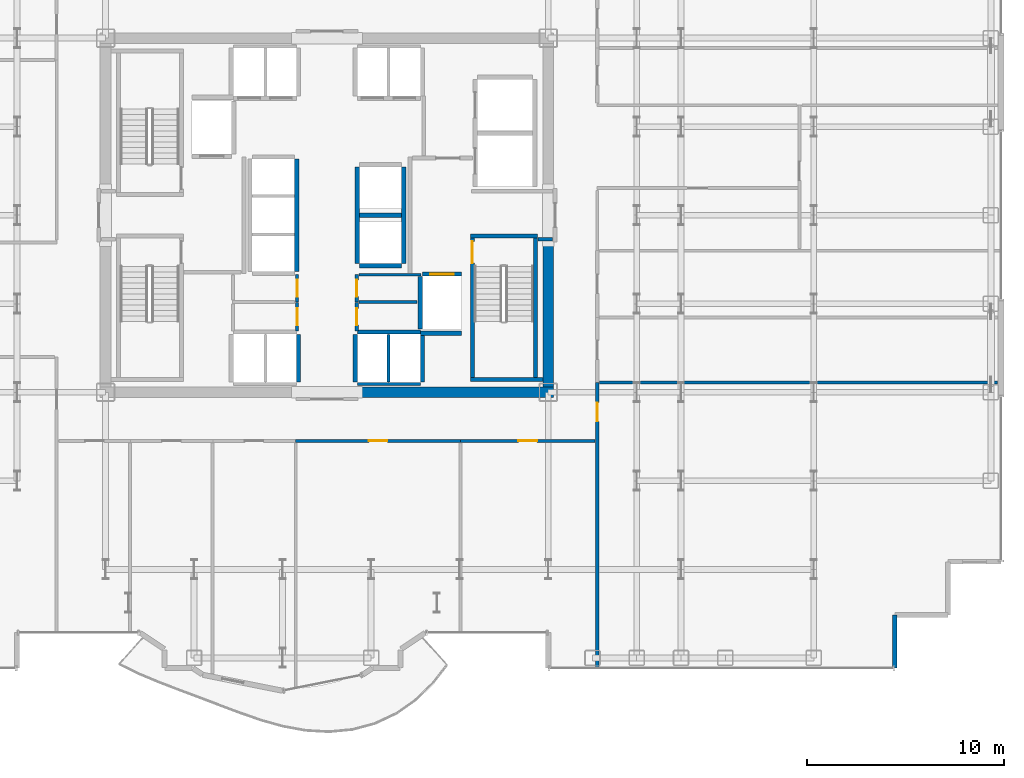
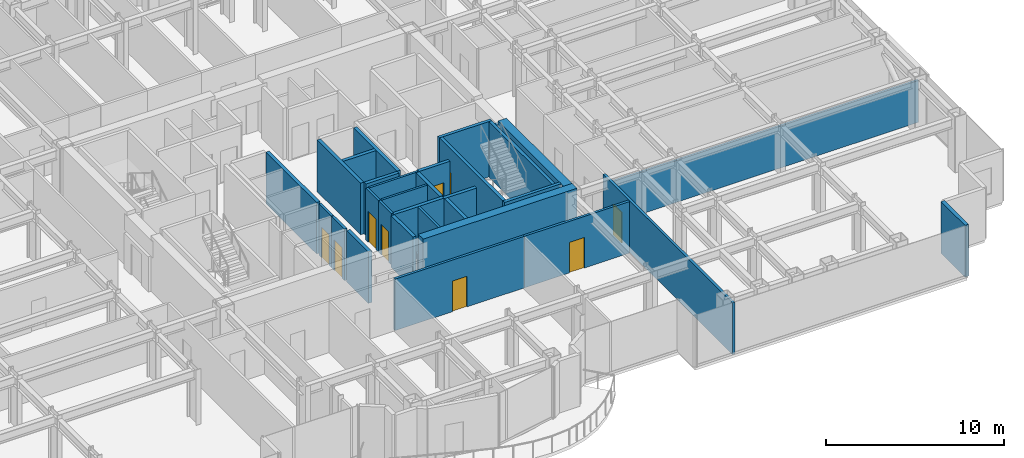
# One storey, part 24 of 29: 32 walls, 9 doors, 9 openings.
"""IFC4 building model written with IfcOpenShell, lengths in metres."""

from ifc_helpers import new_model, si_unit, direction, frame, frame_2d, origin, place, context, subcontext, project, spatial, rectangle, extrude, source, transform, mapped, material, layer, layer_set, type_object, element, fill, save


model = new_model("IFC4")

# Units and contexts
model_context = context("Model", 3, precision=1e-05, world=origin(), true_north=direction((0.0, 1.0)))
body_context = subcontext(model_context, "Body", "Model", "MODEL_VIEW")
ifc_project = project(units=[si_unit("LENGTHUNIT", "METRE"), si_unit("AREAUNIT", "SQUARE_METRE"), si_unit("VOLUMEUNIT", "CUBIC_METRE"), si_unit("PLANEANGLEUNIT", "RADIAN"), si_unit("MASSUNIT", "GRAM", prefix="KILO")], contexts=[model_context])

# Site, building, storey
site_placement = place(None, origin())
site = spatial("IfcSite", under=ifc_project, at=site_placement, CompositionType="ELEMENT")
building_placement = place(site_placement, origin())
building = spatial("IfcBuilding", under=site, at=building_placement, Name="Nefas-Gora Pilgrimage Tower", CompositionType="ELEMENT")
storey_placement = place(building_placement, frame((0.0, 0.0, 136.39990234375)))
storey = spatial("IfcBuildingStorey", under=building, at=storey_placement, Name="L33", CompositionType="ELEMENT", Elevation=136.39990234375)

# Walls
ifc_material_1 = material(Name="Concrete C60/75", Category="concrete")
ifc_layer_1 = layer(ifc_material_1, 0.550048828125)
ifc_layer_set_1 = layer_set([ifc_layer_1], Name="Concrete C60/75")
wall_type_1 = type_object("IfcWallType", Name="SW-CORE-550", PredefinedType="SHEAR", material=ifc_layer_set_1)
shared_shape_1 = source(origin(), body_context, "Body", "SweptSolid", [
    extrude(rectangle(XDim=9.974853515625, YDim=0.550048828125, at=frame_2d((4.9873046875, 0.0))), origin(), (0.0, 0.0, 1.0), 3.800048828125),
])
wall_1_placement = place(storey_placement, frame((1.550048828125, -9.0, 0.0), z_axis=(0.0, 0.0, 1.0), x_axis=(1.0, 0.0, 0.0)))
element("IfcWall", 1, at=wall_1_placement, inside=storey, type_object=wall_type_1, Name="L33 Core Shear Wall S-East", PredefinedType="SHEAR", context=body_context, shape_type="MappedRepresentation", body=[
    mapped(shared_shape_1, transform((0.0, 0.0, 0.0), x_axis=(1.0, 0.0, 0.0), y_axis=(0.0, 1.0, 0.0), z_axis=(0.0, 0.0, 1.0), scale=1.0)),
])
shared_shape_2 = source(origin(), body_context, "Body", "SweptSolid", [
    extrude(rectangle(XDim=7.375, YDim=0.550048828125, at=frame_2d((3.6875, 0.0))), origin(), (0.0, 0.0, 1.0), 3.800048828125),
])
wall_2_placement = place(storey_placement, frame((11.25, -8.72509765625, 0.0), z_axis=(0.0, 0.0, 1.0), x_axis=(0.0, 1.0, 0.0)))
element("IfcWall", 2, at=wall_2_placement, inside=storey, type_object=wall_type_1, Name="L33 Core Shear Wall E-South", PredefinedType="SHEAR", context=body_context, shape_type="MappedRepresentation", body=[
    mapped(shared_shape_2, transform((0.0, 0.0, 0.0), x_axis=(1.0, 0.0, 0.0), y_axis=(0.0, 1.0, 0.0), z_axis=(0.0, 0.0, 1.0), scale=1.0)),
])
ifc_material_2 = material(Name="Precast concrete C45/55", Category="concrete")
ifc_layer_2 = layer(ifc_material_2, 0.239990234375)
ifc_layer_set_2 = layer_set([ifc_layer_2], Name="Precast concrete C45/55")
wall_type_2 = type_object("IfcWallType", Name="EW-SERR-240", PredefinedType="SHEAR", material=ifc_layer_set_2)
shared_shape_3 = source(origin(), body_context, "Body", "SweptSolid", [
    extrude(rectangle(XDim=2.699951171875, YDim=0.239990234375, at=frame_2d((1.35009765625, 0.0))), origin(), (0.0, 0.0, 1.0), 3.550048828125),
])
wall_3_placement = place(storey_placement, frame((28.8701171875, -23.02001953125, 0.0), z_axis=(0.0, 0.0, 1.0), x_axis=(0.0, 1.0, 0.0)))
element("IfcWall", 3, at=wall_3_placement, inside=storey, type_object=wall_type_2, Name="L33 Serrated Corner Shear Pier Wall 6", PredefinedType="SHEAR", context=body_context, shape_type="MappedRepresentation", body=[
    mapped(shared_shape_3, transform((0.0, 0.0, 0.0), x_axis=(1.0, 0.0, 0.0), y_axis=(0.0, 1.0, 0.0), z_axis=(0.0, 0.0, 1.0), scale=1.0)),
])
ifc_material_3 = material(Name="Concrete C45/55", Category="concrete")
ifc_layer_3 = layer(ifc_material_3, 0.199951171875)
ifc_layer_set_3 = layer_set([ifc_layer_3], Name="Concrete C45/55")
wall_type_3 = type_object("IfcWallType", Name="IW-STAIR-200", PredefinedType="SOLIDWALL", material=ifc_layer_set_3)
shared_shape_4 = source(origin(), body_context, "Body", "SweptSolid", [
    extrude(rectangle(XDim=3.39990234375, YDim=0.199951171875, at=frame_2d((1.699951171875, 0.0))), origin(), (0.0, 0.0, 1.0), 3.800048828125),
])
wall_4_placement = place(storey_placement, frame((7.300048828125, -1.050048828125, 0.0), z_axis=(0.0, 0.0, 1.0), x_axis=(1.0, 0.0, 0.0)))
element("IfcWall", 4, at=wall_4_placement, inside=storey, type_object=wall_type_3, Name="L33 Stairwell Shear Wall ST-02-near", PredefinedType="SOLIDWALL", context=body_context, shape_type="MappedRepresentation", body=[
    mapped(shared_shape_4, transform((0.0, 0.0, 0.0), x_axis=(1.0, 0.0, 0.0), y_axis=(0.0, 1.0, 0.0), z_axis=(0.0, 0.0, 1.0), scale=1.0)),
])

# Wall, opening, door
shared_shape_5 = source(origin(), body_context, "Body", "SweptSolid", [
    extrude(rectangle(XDim=7.10009765625, YDim=0.199951171875, at=frame_2d((3.550048828125, 0.0))), origin(), (0.0, 0.0, 1.0), 3.800048828125),
])
wall_5_placement = place(storey_placement, frame((7.39990234375, -1.14990234375, 0.0), z_axis=(0.0, 0.0, 1.0), x_axis=(0.0, -1.0, 0.0)))
wall_5 = element("IfcWall", 5, at=wall_5_placement, inside=storey, type_object=wall_type_3, Name="L33 Stairwell Shear Wall ST-02-left", PredefinedType="SOLIDWALL", context=body_context, shape_type="MappedRepresentation", body=[
    mapped(shared_shape_5, transform((0.0, 0.0, 0.0), x_axis=(1.0, 0.0, 0.0), y_axis=(0.0, 1.0, 0.0), z_axis=(0.0, 0.0, 1.0), scale=1.0)),
])
opening_1_placement = place(wall_5_placement, frame((0.179931640625, 0.0, 0.0)))
opening_1 = element("IfcOpeningElement", 6, at=opening_1_placement, cuts=wall_5, Name="Opening ID-ST1", PredefinedType="OPENING", context=body_context, shape_type="SweptSolid", body=[
    extrude(rectangle(XDim=1.10009765625, YDim=2.14990234375, at=frame_2d((0.550048828125, 1.074951171875))), frame((0.0, 0.10986328125, 0.0), z_axis=(0.0, -1.0, 0.0), x_axis=(1.0, 0.0, 0.0)), (0.0, 0.0, 1.0), 0.219970703125),
])
ifc_material_4 = material(Name="Painted galvanised steel fire stair door", Category="steel")
door_type_1 = type_object("IfcDoorType", Name="DR-INT-STAIR-1100", OperationType="NOTDEFINED", PredefinedType="DOOR", material=ifc_material_4)
shared_shape_6 = source(origin(), body_context, "Body", "SweptSolid", [
    extrude(rectangle(XDim=1.10009765625, YDim=2.14990234375, at=frame_2d((0.550048828125, 1.074951171875))), frame((0.0, 0.02490234375, 0.0), z_axis=(0.0, -1.0, 0.0), x_axis=(1.0, 0.0, 0.0)), (0.0, 0.0, 1.0), 0.050048828125),
])
door_1_placement = place(opening_1_placement, origin())
door_1 = element("IfcDoor", 7, at=door_1_placement, inside=storey, type_object=door_type_1, Name="L33 Protected Exit Stair Door ST-02", OperationType="SINGLE_SWING_RIGHT", OverallHeight=2.14990234375, OverallWidth=1.10009765625, PredefinedType="DOOR", context=body_context, shape_type="MappedRepresentation", body=[
    mapped(shared_shape_6, transform((0.0, 0.0, 0.0), x_axis=(1.0, 0.0, 0.0), y_axis=(0.0, 1.0, 0.0), z_axis=(0.0, 0.0, 1.0), scale=1.0)),
])
fill(opening_1, door_1)

# Walls
wall_6_placement = place(storey_placement, frame((10.60009765625, -1.14990234375, 0.0), z_axis=(0.0, 0.0, 1.0), x_axis=(0.0, -1.0, 0.0)))
element("IfcWall", 8, at=wall_6_placement, inside=storey, type_object=wall_type_3, Name="L33 Stairwell Shear Wall ST-02-right", PredefinedType="SOLIDWALL", context=body_context, shape_type="MappedRepresentation", body=[
    mapped(shared_shape_5, transform((0.0, 0.0, 0.0), x_axis=(1.0, 0.0, 0.0), y_axis=(0.0, 1.0, 0.0), z_axis=(0.0, 0.0, 1.0), scale=1.0)),
])
shared_shape_7 = source(origin(), body_context, "Body", "SweptSolid", [
    extrude(rectangle(XDim=3.679931640625, YDim=0.199951171875, at=frame_2d((1.83984375, 0.0))), origin(), (0.0, 0.0, 1.0), 3.800048828125),
])
wall_7_placement = place(storey_placement, frame((7.300048828125, -8.35009765625, 0.0), z_axis=(0.0, 0.0, 1.0), x_axis=(1.0, 0.0, 0.0)))
element("IfcWall", 9, at=wall_7_placement, inside=storey, type_object=wall_type_3, Name="L33 Stairwell Shear Wall ST-02-far", PredefinedType="SOLIDWALL", context=body_context, shape_type="MappedRepresentation", body=[
    mapped(shared_shape_7, transform((0.0, 0.0, 0.0), x_axis=(1.0, 0.0, 0.0), y_axis=(0.0, 1.0, 0.0), z_axis=(0.0, 0.0, 1.0), scale=1.0)),
])
ifc_material_5 = material(Name="Gypsum acoustic stud partition")
ifc_layer_4 = layer(ifc_material_5, 0.159912109375)
ifc_layer_set_4 = layer_set([ifc_layer_4], Name="Gypsum acoustic stud partition")
wall_type_4 = type_object("IfcWallType", Name="IW-CORR-160", PredefinedType="PARTITIONING", material=ifc_layer_set_4)
shared_shape_8 = source(origin(), body_context, "Body", "SweptSolid", [
    extrude(rectangle(XDim=3.199951171875, YDim=0.159912109375, at=frame_2d((1.60009765625, 0.0))), origin(), (0.0, 0.0, 1.0), 2.425048828125),
])
wall_8_placement = place(storey_placement, frame((1.550048828125, -8.580078125, 0.0), z_axis=(0.0, 0.0, 1.0), x_axis=(1.0, 0.0, 0.0)))
element("IfcWall", 10, at=wall_8_placement, inside=storey, type_object=wall_type_4, Name="L33 Hoistway Wall PL2-E-S", PredefinedType="PARTITIONING", context=body_context, shape_type="MappedRepresentation", body=[
    mapped(shared_shape_8, transform((0.0, 0.0, 0.0), x_axis=(1.0, 0.0, 0.0), y_axis=(0.0, 1.0, 0.0), z_axis=(0.0, 0.0, 1.0), scale=1.0)),
])

# Wall, opening, door
ifc_material_6 = material(Name="Concrete C40/50", Category="concrete")
ifc_layer_5 = layer(ifc_material_6, 0.219970703125)
ifc_layer_set_5 = layer_set([ifc_layer_5], Name="Concrete C40/50")
wall_type_5 = type_object("IfcWallType", Name="IW-SHAFT-220", PredefinedType="SOLIDWALL", material=ifc_layer_set_5)
shared_shape_9 = source(origin(), body_context, "Body", "SweptSolid", [
    extrude(rectangle(XDim=2.0, YDim=0.219970703125, at=frame_2d((1.0, 0.0))), origin(), (0.0, 0.0, 1.0), 3.53515625),
])
wall_9_placement = place(storey_placement, frame((6.85009765625, -2.989990234375, 0.0), z_axis=(0.0, 0.0, 1.0), x_axis=(-1.0, 0.0, 0.0)))
wall_9 = element("IfcWall", 11, at=wall_9_placement, inside=storey, type_object=wall_type_5, Name="L33 Hoistway Wall FFL-02-N", PredefinedType="SOLIDWALL", context=body_context, shape_type="MappedRepresentation", body=[
    mapped(shared_shape_9, transform((0.0, 0.0, 0.0), x_axis=(1.0, 0.0, 0.0), y_axis=(0.0, 1.0, 0.0), z_axis=(0.0, 0.0, 1.0), scale=1.0)),
])
opening_2_placement = place(wall_9_placement, frame((0.39990234375, 0.0, 0.0)))
opening_2 = element("IfcOpeningElement", 12, at=opening_2_placement, cuts=wall_9, Name="Opening LD-FF", PredefinedType="OPENING", context=body_context, shape_type="SweptSolid", body=[
    extrude(rectangle(XDim=1.199951171875, YDim=2.199951171875, at=frame_2d((0.60009765625, 1.10009765625))), frame((0.0, 0.119873046875, 0.0), z_axis=(0.0, -1.0, 0.0), x_axis=(1.0, 0.0, 0.0)), (0.0, 0.0, 1.0), 0.239990234375),
])
ifc_material_7 = material(Name="Fire-service sliding lift landing door")
door_type_2 = type_object("IfcDoorType", Name="DR-LIFT-FSAE-1200", OperationType="SLIDING_TO_LEFT", PredefinedType="DOOR", material=ifc_material_7)
shared_shape_10 = source(origin(), body_context, "Body", "SweptSolid", [
    extrude(rectangle(XDim=1.199951171875, YDim=2.199951171875, at=frame_2d((0.60009765625, 1.10009765625))), frame((0.0, 0.02490234375, 0.0), z_axis=(0.0, -1.0, 0.0), x_axis=(1.0, 0.0, 0.0)), (0.0, 0.0, 1.0), 0.050048828125),
])
door_2_placement = place(opening_2_placement, origin())
door_2 = element("IfcDoor", 13, at=door_2_placement, inside=storey, type_object=door_type_2, Name="L33 Sliding Lift Landing Door FFL-02", OperationType="SLIDING_TO_LEFT", OverallHeight=2.199951171875, OverallWidth=1.199951171875, PredefinedType="DOOR", context=body_context, shape_type="MappedRepresentation", body=[
    mapped(shared_shape_10, transform((0.0, 0.0, 0.0), x_axis=(1.0, 0.0, 0.0), y_axis=(0.0, 1.0, 0.0), z_axis=(0.0, 0.0, 1.0), scale=1.0)),
])
fill(opening_2, door_2)

# Walls
shared_shape_11 = source(origin(), body_context, "Body", "SweptSolid", [
    extrude(rectangle(XDim=2.679931640625, YDim=0.219970703125, at=frame_2d((1.33984375, 0.0))), origin(), (0.0, 0.0, 1.0), 3.53515625),
])
wall_10_placement = place(storey_placement, frame((4.739990234375, -3.110107421875, 0.0), z_axis=(0.0, 0.0, 1.0), x_axis=(0.0, -1.0, 0.0)))
element("IfcWall", 14, at=wall_10_placement, inside=storey, type_object=wall_type_5, Name="L33 Hoistway Wall FFL-02-W", PredefinedType="SOLIDWALL", context=body_context, shape_type="MappedRepresentation", body=[
    mapped(shared_shape_11, transform((0.0, 0.0, 0.0), x_axis=(1.0, 0.0, 0.0), y_axis=(0.0, 1.0, 0.0), z_axis=(0.0, 0.0, 1.0), scale=1.0)),
])
shared_shape_12 = source(origin(), body_context, "Body", "SweptSolid", [
    extrude(rectangle(XDim=3.199951171875, YDim=0.219970703125, at=frame_2d((1.60009765625, 0.0))), origin(), (0.0, 0.0, 1.0), 3.53515625),
])
wall_11_placement = place(storey_placement, frame((4.75, -5.93994140625, 0.0), z_axis=(0.0, 0.0, 1.0), x_axis=(-1.0, 0.0, 0.0)))
element("IfcWall", 15, at=wall_11_placement, inside=storey, type_object=wall_type_5, Name="L33 Hoistway Wall PL2-E-N", PredefinedType="SOLIDWALL", context=body_context, shape_type="MappedRepresentation", body=[
    mapped(shared_shape_12, transform((0.0, 0.0, 0.0), x_axis=(1.0, 0.0, 0.0), y_axis=(0.0, 1.0, 0.0), z_axis=(0.0, 0.0, 1.0), scale=1.0)),
])
shared_shape_13 = source(origin(), body_context, "Body", "SweptSolid", [
    extrude(rectangle(XDim=2.429931640625, YDim=0.219970703125, at=frame_2d((1.21484375, 0.0))), origin(), (0.0, 0.0, 1.0), 3.53515625),
])
for number, where, z_axis, x_axis, name in (
    (16, (-1.43994140625, -8.489990234375, 0.0), (0.0, 0.0, 1.0), (0.0, 1.0, 0.0), "L33 Hoistway Wall PL2-W-E"),
    (17, (1.43994140625, -6.06005859375, 0.0), (0.0, 0.0, 1.0), (0.0, -1.0, 0.0), "L33 Hoistway Wall PL2-E-W"),
    (18, (4.860107421875, -8.489990234375, 0.0), (0.0, 0.0, 1.0), (0.0, 1.0, 0.0), "L33 Hoistway Wall PL2-E-E"),
):
    element("IfcWall", number, at=place(storey_placement, frame(where, z_axis=z_axis, x_axis=x_axis)), inside=storey, type_object=wall_type_5, Name=name, PredefinedType="SOLIDWALL", context=body_context, shape_type="MappedRepresentation", body=[
        mapped(shared_shape_13, transform((0.0, 0.0, 0.0), x_axis=(1.0, 0.0, 0.0), y_axis=(0.0, 1.0, 0.0), z_axis=(0.0, 0.0, 1.0), scale=1.0)),
    ])
ifc_material_8 = material(Name="Gypsum twin-stud partition")
ifc_layer_6 = layer(ifc_material_8, 0.139892578125)
ifc_layer_set_6 = layer_set([ifc_layer_6], Name="Gypsum twin-stud partition")
wall_type_6 = type_object("IfcWallType", Name="IW-UNIT-140", PredefinedType="PARTITIONING", material=ifc_layer_set_6)
shared_shape_14 = source(origin(), body_context, "Body", "SweptSolid", [
    extrude(rectangle(XDim=2.429931640625, YDim=0.139892578125, at=frame_2d((1.21484375, 0.0))), origin(), (0.0, 0.0, 1.0), 3.53515625),
])
wall_12_placement = place(storey_placement, frame((3.125, -8.489990234375, 0.0), z_axis=(0.0, 0.0, 1.0), x_axis=(0.0, 1.0, 0.0)))
element("IfcWall", 19, at=wall_12_placement, inside=storey, type_object=wall_type_6, Name="L33 Hoistway Wall PL2-E-DIV", PredefinedType="PARTITIONING", context=body_context, shape_type="MappedRepresentation", body=[
    mapped(shared_shape_14, transform((0.0, 0.0, 0.0), x_axis=(1.0, 0.0, 0.0), y_axis=(0.0, 1.0, 0.0), z_axis=(0.0, 0.0, 1.0), scale=1.0)),
])
shared_shape_15 = source(origin(), body_context, "Body", "SweptSolid", [
    extrude(rectangle(XDim=5.7001953125, YDim=0.219970703125, at=frame_2d((2.85009765625, 0.0))), origin(), (0.0, 0.0, 1.0), 3.53515625),
])
wall_13_placement = place(storey_placement, frame((-1.5400390625, -2.85009765625, 0.0), z_axis=(0.0, 0.0, 1.0), x_axis=(0.0, 1.0, 0.0)))
element("IfcWall", 20, at=wall_13_placement, inside=storey, type_object=wall_type_5, Name="L33 Hoistway Wall PL3-01-03-E", PredefinedType="SOLIDWALL", context=body_context, shape_type="MappedRepresentation", body=[
    mapped(shared_shape_15, transform((0.0, 0.0, 0.0), x_axis=(1.0, 0.0, 0.0), y_axis=(0.0, 1.0, 0.0), z_axis=(0.0, 0.0, 1.0), scale=1.0)),
])
shared_shape_16 = source(origin(), body_context, "Body", "SweptSolid", [
    extrude(rectangle(XDim=2.130126953125, YDim=0.219970703125, at=frame_2d((1.06494140625, 0.0))), origin(), (0.0, 0.0, 1.0), 3.53515625),
])
for number, where, z_axis, x_axis, name in (
    (21, (1.659912109375, -2.56005859375, 0.0), (0.0, 0.0, 1.0), (1.0, 0.0, 0.0), "L33 Hoistway Wall OBS-01-S"),
    (22, (1.659912109375, 0.0, 0.0), (0.0, 0.0, 1.0), (1.0, 0.0, 0.0), "L33 Hoistway Wall OBS-01-02-DIV"),
):
    element("IfcWall", number, at=place(storey_placement, frame(where, z_axis=z_axis, x_axis=x_axis)), inside=storey, type_object=wall_type_5, Name=name, PredefinedType="SOLIDWALL", context=body_context, shape_type="MappedRepresentation", body=[
        mapped(shared_shape_16, transform((0.0, 0.0, 0.0), x_axis=(1.0, 0.0, 0.0), y_axis=(0.0, 1.0, 0.0), z_axis=(0.0, 0.0, 1.0), scale=1.0)),
    ])
shared_shape_17 = source(origin(), body_context, "Body", "SweptSolid", [
    extrude(rectangle(XDim=4.89990234375, YDim=0.219970703125, at=frame_2d((2.449951171875, 0.0))), origin(), (0.0, 0.0, 1.0), 3.53515625),
])
for number, where, z_axis, x_axis, name in (
    (23, (1.5400390625, 2.449951171875, 0.0), (0.0, 0.0, 1.0), (0.0, -1.0, 0.0), "L33 Hoistway Wall OBS-01-02-W"),
    (24, (3.909912109375, -2.449951171875, 0.0), (0.0, 0.0, 1.0), (0.0, 1.0, 0.0), "L33 Hoistway Wall OBS-01-02-E"),
):
    element("IfcWall", number, at=place(storey_placement, frame(where, z_axis=z_axis, x_axis=x_axis)), inside=storey, type_object=wall_type_5, Name=name, PredefinedType="SOLIDWALL", context=body_context, shape_type="MappedRepresentation", body=[
        mapped(shared_shape_17, transform((0.0, 0.0, 0.0), x_axis=(1.0, 0.0, 0.0), y_axis=(0.0, 1.0, 0.0), z_axis=(0.0, 0.0, 1.0), scale=1.0)),
    ])
shared_shape_18 = source(origin(), body_context, "Body", "SweptSolid", [
    extrude(rectangle(XDim=2.09521484375, YDim=0.219970703125, at=frame_2d((1.047607421875, 0.0))), origin(), (0.0, 0.0, 1.0), 3.53515625),
])
wall_14_placement = place(storey_placement, frame((4.7548828125, -6.0, 0.0), z_axis=(0.0, 0.0, 1.0), x_axis=(1.0, 0.0, 0.0)))
element("IfcWall", 25, at=wall_14_placement, inside=storey, type_object=wall_type_5, Name="L33 Riser Shaft Wall 2", PredefinedType="SOLIDWALL", context=body_context, shape_type="MappedRepresentation", body=[
    mapped(shared_shape_18, transform((0.0, 0.0, 0.0), x_axis=(1.0, 0.0, 0.0), y_axis=(0.0, 1.0, 0.0), z_axis=(0.0, 0.0, 1.0), scale=1.0)),
])
ifc_material_9 = material(Name="Gypsum fire-rated shaftwall")
ifc_layer_7 = layer(ifc_material_9, 0.199951171875)
ifc_layer_set_7 = layer_set([ifc_layer_7], Name="Gypsum fire-rated shaftwall")
wall_type_7 = type_object("IfcWallType", Name="IW-FFLOB-200", PredefinedType="PARTITIONING", material=ifc_layer_set_7)
shared_shape_19 = source(origin(), body_context, "Body", "SweptSolid", [
    extrude(rectangle(XDim=0.719970703125, YDim=0.199951171875, at=frame_2d((0.35986328125, 0.0))), origin(), (0.0, 0.0, 1.0), 3.53515625),
])
wall_15_placement = place(storey_placement, frame((10.739990234375, -1.219970703125, 0.0), z_axis=(0.0, 0.0, 1.0), x_axis=(1.0, 0.0, 0.0)))
element("IfcWall", 26, at=wall_15_placement, inside=storey, type_object=wall_type_7, Name="L33 FF Lobby East Throat S Wall 12", PredefinedType="PARTITIONING", context=body_context, shape_type="MappedRepresentation", body=[
    mapped(shared_shape_19, transform((0.0, 0.0, 0.0), x_axis=(1.0, 0.0, 0.0), y_axis=(0.0, 1.0, 0.0), z_axis=(0.0, 0.0, 1.0), scale=1.0)),
])

# Wall, opening, door
shared_shape_20 = source(origin(), body_context, "Body", "SweptSolid", [
    extrude(rectangle(XDim=1.409912109375, YDim=0.159912109375, at=frame_2d((0.705078125, 0.0))), origin(), (0.0, 0.0, 1.0), 3.53515625),
])
wall_16_placement = place(storey_placement, frame((-1.52001953125, -4.419921875, 0.0), z_axis=(0.0, 0.0, 1.0), x_axis=(0.0, 1.0, 0.0)))
wall_16 = element("IfcWall", 27, at=wall_16_placement, inside=storey, type_object=wall_type_4, Name="L33 Housekeeping and Linen Store Wall 16", PredefinedType="PARTITIONING", context=body_context, shape_type="MappedRepresentation", body=[
    mapped(shared_shape_20, transform((0.0, 0.0, 0.0), x_axis=(1.0, 0.0, 0.0), y_axis=(0.0, 1.0, 0.0), z_axis=(0.0, 0.0, 1.0), scale=1.0)),
])
opening_3_placement = place(wall_16_placement, frame((0.280029296875, 0.0, 0.0)))
opening_3 = element("IfcOpeningElement", 28, at=opening_3_placement, cuts=wall_16, Name="Opening ID-BT1", PredefinedType="OPENING", context=body_context, shape_type="SweptSolid", body=[
    extrude(rectangle(XDim=0.85009765625, YDim=2.10009765625, at=frame_2d((0.425048828125, 1.050048828125))), frame((0.0, 0.08984375, 0.0), z_axis=(0.0, -1.0, 0.0), x_axis=(1.0, 0.0, 0.0)), (0.0, 0.0, 1.0), 0.179931640625),
])
ifc_material_10 = material(Name="Moisture-resistant fire-rated timber door", Category="wood")
door_type_3 = type_object("IfcDoorType", Name="DR-INT-BATH-850", OperationType="NOTDEFINED", PredefinedType="DOOR", material=ifc_material_10)
shared_shape_21 = source(origin(), body_context, "Body", "SweptSolid", [
    extrude(rectangle(XDim=0.85009765625, YDim=2.10009765625, at=frame_2d((0.425048828125, 1.050048828125))), frame((0.0, 0.02490234375, 0.0), z_axis=(0.0, -1.0, 0.0), x_axis=(1.0, 0.0, 0.0)), (0.0, 0.0, 1.0), 0.050048828125),
])
door_3_placement = place(opening_3_placement, origin())
door_3 = element("IfcDoor", 29, at=door_3_placement, inside=storey, type_object=door_type_3, Name="L33 Housekeeping and Linen Store Door 6", OperationType="SINGLE_SWING_RIGHT", OverallHeight=2.10009765625, OverallWidth=0.85009765625, PredefinedType="DOOR", context=body_context, shape_type="MappedRepresentation", body=[
    mapped(shared_shape_21, transform((0.0, 0.0, 0.0), x_axis=(1.0, 0.0, 0.0), y_axis=(0.0, 1.0, 0.0), z_axis=(0.0, 0.0, 1.0), scale=1.0)),
])
fill(opening_3, door_3)

wall_17_placement = place(storey_placement, frame((1.52001953125, -4.419921875, 0.0), z_axis=(0.0, 0.0, 1.0), x_axis=(0.0, 1.0, 0.0)))
wall_17 = element("IfcWall", 30, at=wall_17_placement, inside=storey, type_object=wall_type_4, Name="L33 Clean Blanket and Robe Store Wall 21", PredefinedType="PARTITIONING", context=body_context, shape_type="MappedRepresentation", body=[
    mapped(shared_shape_20, transform((0.0, 0.0, 0.0), x_axis=(1.0, 0.0, 0.0), y_axis=(0.0, 1.0, 0.0), z_axis=(0.0, 0.0, 1.0), scale=1.0)),
])
opening_4_placement = place(wall_17_placement, frame((0.280029296875, 0.0, 0.0)))
opening_4 = element("IfcOpeningElement", 31, at=opening_4_placement, cuts=wall_17, Name="Opening ID-BT1", PredefinedType="OPENING", context=body_context, shape_type="SweptSolid", body=[
    extrude(rectangle(XDim=0.85009765625, YDim=2.10009765625, at=frame_2d((0.425048828125, 1.050048828125))), frame((0.0, 0.08984375, 0.0), z_axis=(0.0, -1.0, 0.0), x_axis=(1.0, 0.0, 0.0)), (0.0, 0.0, 1.0), 0.179931640625),
])
door_4_placement = place(opening_4_placement, origin())
door_4 = element("IfcDoor", 32, at=door_4_placement, inside=storey, type_object=door_type_3, Name="L33 Clean Blanket and Robe Store Door 8", OperationType="SINGLE_SWING_RIGHT", OverallHeight=2.10009765625, OverallWidth=0.85009765625, PredefinedType="DOOR", context=body_context, shape_type="MappedRepresentation", body=[
    mapped(shared_shape_21, transform((0.0, 0.0, 0.0), x_axis=(1.0, 0.0, 0.0), y_axis=(0.0, 1.0, 0.0), z_axis=(0.0, 0.0, 1.0), scale=1.0)),
])
fill(opening_4, door_4)

# Wall
shared_shape_22 = source(origin(), body_context, "Body", "SweptSolid", [
    extrude(rectangle(XDim=3.150146484375, YDim=0.139892578125, at=frame_2d((1.5751953125, 0.0))), origin(), (0.0, 0.0, 1.0), 3.53515625),
])
wall_18_placement = place(storey_placement, frame((1.639892578125, -3.02001953125, 0.0), z_axis=(0.0, 0.0, 1.0), x_axis=(1.0, 0.0, 0.0)))
element("IfcWall", 33, at=wall_18_placement, inside=storey, type_object=wall_type_6, Name="L33 Clean Blanket and Robe Store Partition Wall 22", PredefinedType="PARTITIONING", context=body_context, shape_type="MappedRepresentation", body=[
    mapped(shared_shape_22, transform((0.0, 0.0, 0.0), x_axis=(1.0, 0.0, 0.0), y_axis=(0.0, 1.0, 0.0), z_axis=(0.0, 0.0, 1.0), scale=1.0)),
])

# Wall, opening, door
shared_shape_23 = source(origin(), body_context, "Body", "SweptSolid", [
    extrude(rectangle(XDim=1.449951171875, YDim=0.159912109375, at=frame_2d((0.72509765625, 0.0))), origin(), (0.0, 0.0, 1.0), 3.53515625),
])
wall_19_placement = place(storey_placement, frame((-1.52001953125, -5.889892578125, 0.0), z_axis=(0.0, 0.0, 1.0), x_axis=(0.0, 1.0, 0.0)))
wall_19 = element("IfcWall", 34, at=wall_19_placement, inside=storey, type_object=wall_type_4, Name="L33 Guest Self-Service Laundry Room Wall 19", PredefinedType="PARTITIONING", context=body_context, shape_type="MappedRepresentation", body=[
    mapped(shared_shape_23, transform((0.0, 0.0, 0.0), x_axis=(1.0, 0.0, 0.0), y_axis=(0.0, 1.0, 0.0), z_axis=(0.0, 0.0, 1.0), scale=1.0)),
])
opening_5_placement = place(wall_19_placement, frame((0.300048828125, 0.0, 0.0)))
opening_5 = element("IfcOpeningElement", 35, at=opening_5_placement, cuts=wall_19, Name="Opening ID-BT1", PredefinedType="OPENING", context=body_context, shape_type="SweptSolid", body=[
    extrude(rectangle(XDim=0.85009765625, YDim=2.10009765625, at=frame_2d((0.425048828125, 1.050048828125))), frame((0.0, 0.08984375, 0.0), z_axis=(0.0, -1.0, 0.0), x_axis=(1.0, 0.0, 0.0)), (0.0, 0.0, 1.0), 0.179931640625),
])
door_5_placement = place(opening_5_placement, origin())
door_5 = element("IfcDoor", 36, at=door_5_placement, inside=storey, type_object=door_type_3, Name="L33 Guest Self-Service Laundry Room Door 7", OperationType="SINGLE_SWING_LEFT", OverallHeight=2.10009765625, OverallWidth=0.85009765625, PredefinedType="DOOR", context=body_context, shape_type="MappedRepresentation", body=[
    mapped(shared_shape_21, transform((0.0, 0.0, 0.0), x_axis=(1.0, 0.0, 0.0), y_axis=(0.0, 1.0, 0.0), z_axis=(0.0, 0.0, 1.0), scale=1.0)),
])
fill(opening_5, door_5)

wall_20_placement = place(storey_placement, frame((1.52001953125, -5.889892578125, 0.0), z_axis=(0.0, 0.0, 1.0), x_axis=(0.0, 1.0, 0.0)))
wall_20 = element("IfcWall", 37, at=wall_20_placement, inside=storey, type_object=wall_type_4, Name="L33 Core Amenity Supply Store Wall 24", PredefinedType="PARTITIONING", context=body_context, shape_type="MappedRepresentation", body=[
    mapped(shared_shape_23, transform((0.0, 0.0, 0.0), x_axis=(1.0, 0.0, 0.0), y_axis=(0.0, 1.0, 0.0), z_axis=(0.0, 0.0, 1.0), scale=1.0)),
])
opening_6_placement = place(wall_20_placement, frame((0.300048828125, 0.0, 0.0)))
opening_6 = element("IfcOpeningElement", 38, at=opening_6_placement, cuts=wall_20, Name="Opening ID-BT1", PredefinedType="OPENING", context=body_context, shape_type="SweptSolid", body=[
    extrude(rectangle(XDim=0.85009765625, YDim=2.10009765625, at=frame_2d((0.425048828125, 1.050048828125))), frame((0.0, 0.08984375, 0.0), z_axis=(0.0, -1.0, 0.0), x_axis=(1.0, 0.0, 0.0)), (0.0, 0.0, 1.0), 0.179931640625),
])
door_6_placement = place(opening_6_placement, origin())
door_6 = element("IfcDoor", 39, at=door_6_placement, inside=storey, type_object=door_type_3, Name="L33 Core Amenity Supply Store Door 9", OperationType="SINGLE_SWING_LEFT", OverallHeight=2.10009765625, OverallWidth=0.85009765625, PredefinedType="DOOR", context=body_context, shape_type="MappedRepresentation", body=[
    mapped(shared_shape_21, transform((0.0, 0.0, 0.0), x_axis=(1.0, 0.0, 0.0), y_axis=(0.0, 1.0, 0.0), z_axis=(0.0, 0.0, 1.0), scale=1.0)),
])
fill(opening_6, door_6)

# Wall
shared_shape_24 = source(origin(), body_context, "Body", "SweptSolid", [
    extrude(rectangle(XDim=2.9501953125, YDim=0.139892578125, at=frame_2d((1.47509765625, 0.0))), origin(), (0.0, 0.0, 1.0), 3.53515625),
])
wall_21_placement = place(storey_placement, frame((1.639892578125, -4.409912109375, 0.0), z_axis=(0.0, 0.0, 1.0), x_axis=(1.0, 0.0, 0.0)))
element("IfcWall", 40, at=wall_21_placement, inside=storey, type_object=wall_type_6, Name="L33 Clean Blanket and Robe Store Partition Wall 23", PredefinedType="PARTITIONING", context=body_context, shape_type="MappedRepresentation", body=[
    mapped(shared_shape_24, transform((0.0, 0.0, 0.0), x_axis=(1.0, 0.0, 0.0), y_axis=(0.0, 1.0, 0.0), z_axis=(0.0, 0.0, 1.0), scale=1.0)),
])

# Wall, opening, door
shared_shape_25 = source(origin(), body_context, "Body", "SweptSolid", [
    extrude(rectangle(XDim=6.8251953125, YDim=0.159912109375, at=frame_2d((3.41259765625, 0.0))), origin(), (0.0, 0.0, 1.0), 3.53515625),
])
wall_22_placement = place(storey_placement, frame((6.794921875, -11.469970703125, 0.0), z_axis=(0.0, 0.0, 1.0), x_axis=(1.0, 0.0, 0.0)))
wall_22 = element("IfcWall", 41, at=wall_22_placement, inside=storey, type_object=wall_type_4, Name="L33 Pilgrim Contemplative Lounge Partition Wall 67", PredefinedType="PARTITIONING", context=body_context, shape_type="MappedRepresentation", body=[
    mapped(shared_shape_25, transform((0.0, 0.0, 0.0), x_axis=(1.0, 0.0, 0.0), y_axis=(0.0, 1.0, 0.0), z_axis=(0.0, 0.0, 1.0), scale=1.0)),
])
opening_7_placement = place(wall_22_placement, frame((2.9375, 0.0, 0.0)))
opening_7 = element("IfcOpeningElement", 42, at=opening_7_placement, cuts=wall_22, Name="Opening ID-GR1", PredefinedType="OPENING", context=body_context, shape_type="SweptSolid", body=[
    extrude(rectangle(XDim=0.949951171875, YDim=2.10009765625, at=frame_2d((0.47509765625, 1.050048828125))), frame((0.0, 0.08984375, 0.0), z_axis=(0.0, -1.0, 0.0), x_axis=(1.0, 0.0, 0.0)), (0.0, 0.0, 1.0), 0.179931640625),
])
ifc_material_11 = material(Name="Solid core oak fire-rated guest entrance door")
door_type_4 = type_object("IfcDoorType", Name="DR-INT-GUEST-950", OperationType="NOTDEFINED", PredefinedType="DOOR", material=ifc_material_11)
shared_shape_26 = source(origin(), body_context, "Body", "SweptSolid", [
    extrude(rectangle(XDim=0.949951171875, YDim=2.10009765625, at=frame_2d((0.47509765625, 1.050048828125))), frame((0.0, 0.02490234375, 0.0), z_axis=(0.0, -1.0, 0.0), x_axis=(1.0, 0.0, 0.0)), (0.0, 0.0, 1.0), 0.050048828125),
])
door_7_placement = place(opening_7_placement, origin())
door_7 = element("IfcDoor", 43, at=door_7_placement, inside=storey, type_object=door_type_4, Name="L33 Pilgrim Contemplative Lounge Door 32", OperationType="SINGLE_SWING_RIGHT", OverallHeight=2.10009765625, OverallWidth=0.949951171875, PredefinedType="DOOR", context=body_context, shape_type="MappedRepresentation", body=[
    mapped(shared_shape_26, transform((0.0, 0.0, 0.0), x_axis=(1.0, 0.0, 0.0), y_axis=(0.0, 1.0, 0.0), z_axis=(0.0, 0.0, 1.0), scale=1.0)),
])
fill(opening_7, door_7)

shared_shape_27 = source(origin(), body_context, "Body", "SweptSolid", [
    extrude(rectangle(XDim=14.544921875, YDim=0.159912109375, at=frame_2d((7.2724609375, 0.0))), origin(), (0.0, 0.0, 1.0), 3.53515625),
])
wall_23_placement = place(storey_placement, frame((13.739990234375, -23.0400390625, 0.0), z_axis=(0.0, 0.0, 1.0), x_axis=(0.0, 1.0, 0.0)))
wall_23 = element("IfcWall", 44, at=wall_23_placement, inside=storey, type_object=wall_type_4, Name="L33 Pilgrim Tea and Beverage Pantry Partition Wall 35", PredefinedType="PARTITIONING", context=body_context, shape_type="MappedRepresentation", body=[
    mapped(shared_shape_27, transform((0.0, 0.0, 0.0), x_axis=(1.0, 0.0, 0.0), y_axis=(0.0, 1.0, 0.0), z_axis=(0.0, 0.0, 1.0), scale=1.0)),
])
opening_8_placement = place(wall_23_placement, frame((12.5625, 0.0, 0.0)))
opening_8 = element("IfcOpeningElement", 45, at=opening_8_placement, cuts=wall_23, Name="Opening ID-GR1", PredefinedType="OPENING", context=body_context, shape_type="SweptSolid", body=[
    extrude(rectangle(XDim=0.949951171875, YDim=2.10009765625, at=frame_2d((0.47509765625, 1.050048828125))), frame((0.0, 0.08984375, 0.0), z_axis=(0.0, -1.0, 0.0), x_axis=(1.0, 0.0, 0.0)), (0.0, 0.0, 1.0), 0.179931640625),
])
door_8_placement = place(opening_8_placement, origin())
door_8 = element("IfcDoor", 46, at=door_8_placement, inside=storey, type_object=door_type_4, Name="L33 Pilgrim Tea and Beverage Pantry Door 15", OperationType="SINGLE_SWING_LEFT", OverallHeight=2.10009765625, OverallWidth=0.949951171875, PredefinedType="DOOR", context=body_context, shape_type="MappedRepresentation", body=[
    mapped(shared_shape_26, transform((0.0, 0.0, 0.0), x_axis=(1.0, 0.0, 0.0), y_axis=(0.0, 1.0, 0.0), z_axis=(0.0, 0.0, 1.0), scale=1.0)),
])
fill(opening_8, door_8)

# Wall
shared_shape_28 = source(origin(), body_context, "Body", "SweptSolid", [
    extrude(rectangle(XDim=20.219970703125, YDim=0.139892578125, at=frame_2d((10.10986328125, 0.0))), origin(), (0.0, 0.0, 1.0), 2.875),
])
wall_24_placement = place(storey_placement, frame((13.860107421875, -8.5048828125, 0.0), z_axis=(0.0, 0.0, 1.0), x_axis=(1.0, 0.0, 0.0)))
element("IfcWall", 47, at=wall_24_placement, inside=storey, type_object=wall_type_6, Name="L33 Pilgrim Tea and Beverage Pantry Partition Wall 36", PredefinedType="PARTITIONING", context=body_context, shape_type="MappedRepresentation", body=[
    mapped(shared_shape_28, transform((0.0, 0.0, 0.0), x_axis=(1.0, 0.0, 0.0), y_axis=(0.0, 1.0, 0.0), z_axis=(0.0, 0.0, 1.0), scale=1.0)),
])

# Wall, opening, door
shared_shape_29 = source(origin(), body_context, "Body", "SweptSolid", [
    extrude(rectangle(XDim=8.405029296875, YDim=0.159912109375, at=frame_2d((4.20263671875, 0.0))), origin(), (0.0, 0.0, 1.0), 3.53515625),
])
wall_25_placement = place(storey_placement, frame((-1.60009765625, -11.469970703125, 0.0), z_axis=(0.0, 0.0, 1.0), x_axis=(1.0, 0.0, 0.0)))
wall_25 = element("IfcWall", 48, at=wall_25_placement, inside=storey, type_object=wall_type_4, Name="L33 Pilgrim Contemplative Lounge Partition Wall 61", PredefinedType="PARTITIONING", context=body_context, shape_type="MappedRepresentation", body=[
    mapped(shared_shape_29, transform((0.0, 0.0, 0.0), x_axis=(1.0, 0.0, 0.0), y_axis=(0.0, 1.0, 0.0), z_axis=(0.0, 0.0, 1.0), scale=1.0)),
])
opening_9_placement = place(wall_25_placement, frame((3.7275390625, 0.0, 0.0)))
opening_9 = element("IfcOpeningElement", 49, at=opening_9_placement, cuts=wall_25, Name="Opening ID-GR1", PredefinedType="OPENING", context=body_context, shape_type="SweptSolid", body=[
    extrude(rectangle(XDim=0.949951171875, YDim=2.10009765625, at=frame_2d((0.47509765625, 1.050048828125))), frame((0.0, 0.08984375, 0.0), z_axis=(0.0, -1.0, 0.0), x_axis=(1.0, 0.0, 0.0)), (0.0, 0.0, 1.0), 0.179931640625),
])
door_9_placement = place(opening_9_placement, origin())
door_9 = element("IfcDoor", 50, at=door_9_placement, inside=storey, type_object=door_type_4, Name="L33 Pilgrim Contemplative Lounge Door 29", OperationType="SINGLE_SWING_LEFT", OverallHeight=2.10009765625, OverallWidth=0.949951171875, PredefinedType="DOOR", context=body_context, shape_type="MappedRepresentation", body=[
    mapped(shared_shape_26, transform((0.0, 0.0, 0.0), x_axis=(1.0, 0.0, 0.0), y_axis=(0.0, 1.0, 0.0), z_axis=(0.0, 0.0, 1.0), scale=1.0)),
])
fill(opening_9, door_9)

save(model, "model.ifc")
